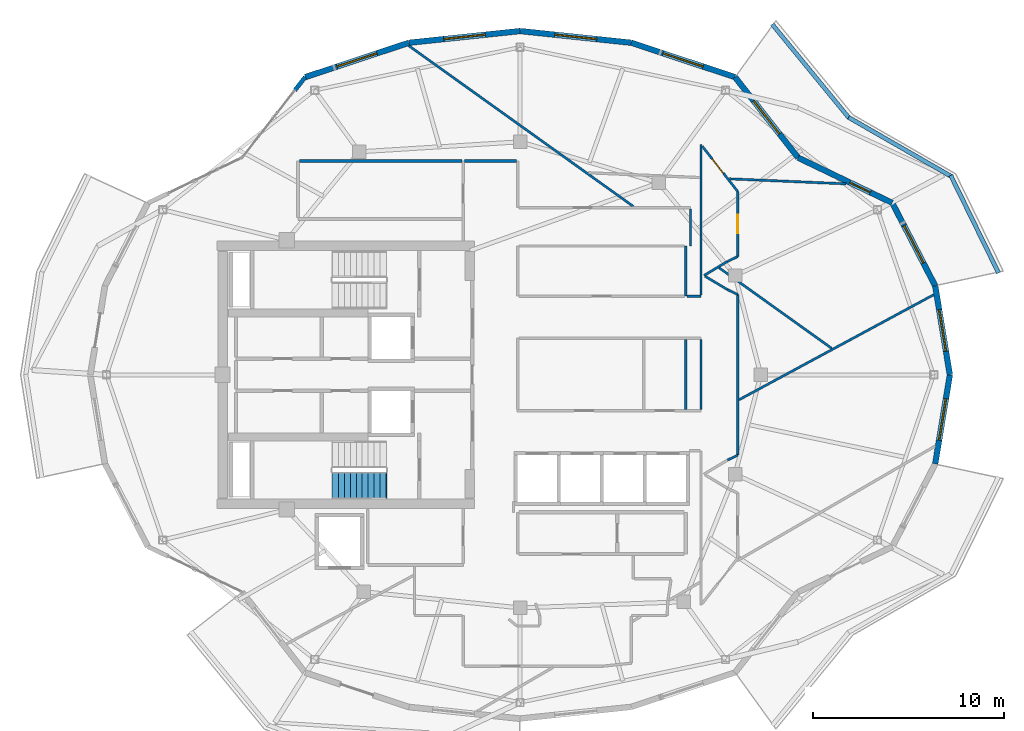
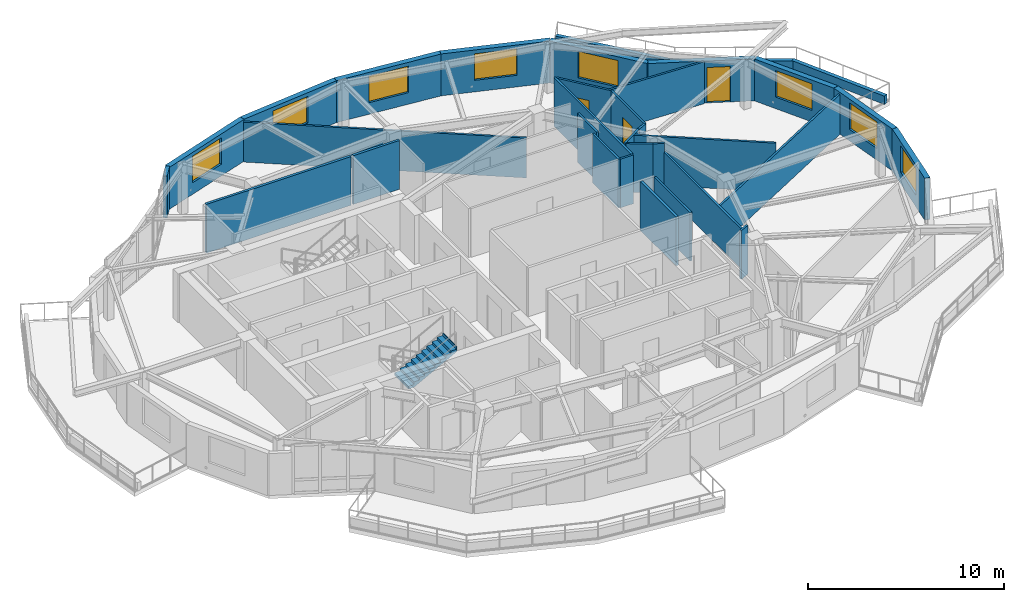
# One storey, part 10 of 14: 33 walls, 8 windows, 3 doors, 1 stair flight, 11 openings, 1 element without a shape of its own.
"""IFC4 building model written with IfcOpenShell, lengths in metres."""

from ifc_helpers import new_model, si_unit, direction, frame, frame_2d, origin, place, context, subcontext, project, spatial, polyline, rectangle, outline, extrude, material, layer, layer_set, type_object, element, fill, aggregate, save


model = new_model("IFC4")

# Units and contexts
model_context = context("Model", 3, precision=1e-05, world=origin(), true_north=direction((0.0, 1.0)))
body_context = subcontext(model_context, "Body", "Model", "MODEL_VIEW")
ifc_project = project(units=[si_unit("LENGTHUNIT", "METRE"), si_unit("AREAUNIT", "SQUARE_METRE"), si_unit("VOLUMEUNIT", "CUBIC_METRE"), si_unit("PLANEANGLEUNIT", "RADIAN"), si_unit("MASSUNIT", "GRAM", prefix="KILO")], contexts=[model_context])

# Site, building, storey
site_placement = place(None, origin())
site = spatial("IfcSite", under=ifc_project, at=site_placement, CompositionType="ELEMENT")
building_placement = place(site_placement, origin())
building = spatial("IfcBuilding", under=site, at=building_placement, Name="Kolvaren Gate Tower and Convention Centre", CompositionType="ELEMENT")
storey_placement = place(building_placement, frame((0.0, 0.0, 252.5)))
storey = spatial("IfcBuildingStorey", under=building, at=storey_placement, Name="L68", CompositionType="ELEMENT", Elevation=252.5)

# Walls
ifc_material_1 = material(Name="Fire-Rated Acoustic Gypsum Stud Partition", Category="gypsum")
ifc_layer_1 = layer(ifc_material_1, 0.1201171875)
ifc_layer_set_1 = layer_set([ifc_layer_1], Name="Fire-Rated Acoustic Gypsum Stud Partition")
wall_type_1 = type_object("IfcWallType", Name="ARCH-WL-PART-120", PredefinedType="PARTITIONING", material=ifc_layer_set_1)
wall_1_placement = place(storey_placement, frame((38.800048828125, 31.1201171875, 0.0), z_axis=(0.0, 0.0, 1.0), x_axis=(0.0, 1.0, 0.0)))
element("IfcWall", 1, at=wall_1_placement, inside=storey, type_object=wall_type_1, Name="Interior Partition WL-L68-INT-023", PredefinedType="PARTITIONING", context=body_context, shape_type="SweptSolid", body=[
    extrude(rectangle(XDim=2.6298828125, YDim=0.1201171875, at=frame_2d((1.31494140625, 0.0))), origin(), (0.0, 0.0, 1.0), 3.030029296875),
])
wall_2_placement = place(storey_placement, frame((38.862060546875, 31.1201171875, 0.0), z_axis=(0.0, 0.0, 1.0), x_axis=(1.0, 0.0, 0.0)))
element("IfcWall", 2, at=wall_2_placement, inside=storey, type_object=wall_type_1, Name="Interior Partition WL-L68-INT-024 (2)", PredefinedType="PARTITIONING", context=body_context, shape_type="SweptSolid", body=[
    extrude(rectangle(XDim=0.738037109375, YDim=0.1201171875, at=frame_2d((0.369140625, 0.0))), origin(), (0.0, 0.0, 1.0), 3.030029296875),
])
wall_3_placement = place(storey_placement, frame((39.050048828125, 33.75, 0.0), z_axis=(0.0, 0.0, 1.0), x_axis=(0.0, 1.0, 0.0)))
element("IfcWall", 3, at=wall_3_placement, inside=storey, type_object=wall_type_1, Name="Interior Partition WL-L68-INT-033", PredefinedType="PARTITIONING", context=body_context, shape_type="SweptSolid", body=[
    extrude(rectangle(XDim=1.93798828125, YDim=0.1201171875, at=frame_2d((0.968994140625, 0.0))), origin(), (0.0, 0.0, 1.0), 3.030029296875),
])
wall_4_placement = place(storey_placement, frame((39.60009765625, 25.197021484375, 0.0), z_axis=(0.0, 0.0, 1.0), x_axis=(0.0, 1.0, 0.0)))
element("IfcWall", 4, at=wall_4_placement, inside=storey, type_object=wall_type_1, Name="Interior Partition WL-L68-INT-035", PredefinedType="PARTITIONING", context=body_context, shape_type="SweptSolid", body=[
    extrude(rectangle(XDim=3.64599609375, YDim=0.1201171875, at=frame_2d((1.822998046875, 0.0))), origin(), (0.0, 0.0, 1.0), 3.030029296875),
])
wall_5_placement = place(storey_placement, frame((39.60009765625, 31.181884765625, 0.0), z_axis=(0.0, 0.0, 1.0), x_axis=(0.0, 1.0, 0.0)))
element("IfcWall", 5, at=wall_5_placement, inside=storey, type_object=wall_type_1, Name="Interior Partition WL-L68-INT-036", PredefinedType="PARTITIONING", context=body_context, shape_type="SweptSolid", body=[
    extrude(rectangle(XDim=7.8662109375, YDim=0.1201171875, at=frame_2d((3.93310546875, 0.0))), origin(), (0.0, 0.0, 1.0), 3.030029296875),
])

# Wall, opening, door
wall_6_placement = place(storey_placement, frame((39.662109375, 38.96875, 0.0), z_axis=(0.0, 0.0, 1.0), x_axis=(0.616500468458, -0.787354540465, 0.0)))
wall_6 = element("IfcWall", 6, at=wall_6_placement, inside=storey, type_object=wall_type_1, Name="Interior Partition WL-L68-INT-037", PredefinedType="PARTITIONING", context=body_context, shape_type="SweptSolid", body=[
    extrude(rectangle(XDim=3.013671875, YDim=0.1201171875, at=frame_2d((1.5068359375, 0.0))), origin(), (0.0, 0.0, 1.0), 3.030029296875),
])
opening_1_placement = place(wall_6_placement, frame((0.84912109375, 0.0, 0.0)))
opening_1 = element("IfcOpeningElement", 7, at=opening_1_placement, cuts=wall_6, Name="Opening DR-01", PredefinedType="OPENING", context=body_context, shape_type="SweptSolid", body=[
    extrude(rectangle(XDim=0.949951171875, YDim=2.10009765625, at=frame_2d((0.47509765625, 1.050048828125))), frame((0.0, 0.070068359375, 0.0), z_axis=(0.0, -1.0, 0.0), x_axis=(1.0, 0.0, 0.0)), (0.0, 0.0, 1.0), 0.14013671875),
])
ifc_material_2 = material(Name="Painted Architectural Steelwork ASTM A500 Grade C 345 MPa", Category="steel")
door_type_1 = type_object("IfcDoorType", Name="ARCH-DR-RISER-950", OperationType="SINGLE_SWING_RIGHT", PredefinedType="DOOR", material=ifc_material_2)
door_1_placement = place(opening_1_placement, origin())
door_1 = element("IfcDoor", 8, at=door_1_placement, inside=storey, type_object=door_type_1, Name="Resident Private Study Door", OperationType="SINGLE_SWING_RIGHT", OverallHeight=2.10009765625, OverallWidth=0.949951171875, PredefinedType="DOOR", context=body_context, shape_type="SweptSolid", body=[
    extrude(rectangle(XDim=0.949951171875, YDim=2.10009765625, at=frame_2d((0.47509765625, 1.050048828125))), frame((0.0, 0.02490234375, 0.0), z_axis=(0.0, -1.0, 0.0), x_axis=(1.0, 0.0, 0.0)), (0.0, 0.0, 1.0), 0.050048828125),
])
fill(opening_1, door_1)

# Wall
wall_7_placement = place(storey_placement, frame((41.52001953125, 22.7939453125, 0.0), z_axis=(0.0, 0.0, 1.0), x_axis=(0.0, 1.0, 0.0)))
element("IfcWall", 9, at=wall_7_placement, inside=storey, type_object=wall_type_1, Name="Interior Partition WL-L68-INT-039", PredefinedType="PARTITIONING", context=body_context, shape_type="SweptSolid", body=[
    extrude(rectangle(XDim=8.412109375, YDim=0.1201171875, at=frame_2d((4.2060546875, 0.0))), origin(), (0.0, 0.0, 1.0), 2.47802734375),
])

# Wall, opening, door
wall_8_placement = place(storey_placement, frame((41.52001953125, 33.193115234375, 0.0), z_axis=(0.0, 0.0, 1.0), x_axis=(0.0, 1.0, 0.0)))
wall_8 = element("IfcWall", 10, at=wall_8_placement, inside=storey, type_object=wall_type_1, Name="Interior Partition WL-L68-INT-040", PredefinedType="PARTITIONING", context=body_context, shape_type="SweptSolid", body=[
    extrude(rectangle(XDim=3.40283203125, YDim=0.1201171875, at=frame_2d((1.701416015625, 0.0))), origin(), (0.0, 0.0, 1.0), 3.030029296875),
])
opening_2_placement = place(wall_8_placement, frame((1.2265625, 0.0, 0.0)))
opening_2 = element("IfcOpeningElement", 11, at=opening_2_placement, cuts=wall_8, Name="Opening DR-01", PredefinedType="OPENING", context=body_context, shape_type="SweptSolid", body=[
    extrude(rectangle(XDim=0.949951171875, YDim=2.10009765625, at=frame_2d((0.47509765625, 1.050048828125))), frame((0.0, 0.070068359375, 0.0), z_axis=(0.0, -1.0, 0.0), x_axis=(1.0, 0.0, 0.0)), (0.0, 0.0, 1.0), 0.14013671875),
])
door_2_placement = place(opening_2_placement, origin())
door_2 = element("IfcDoor", 12, at=door_2_placement, inside=storey, type_object=door_type_1, Name="Penthouse Strategy Boardroom Door", OperationType="SINGLE_SWING_LEFT", OverallHeight=2.10009765625, OverallWidth=0.949951171875, PredefinedType="DOOR", context=body_context, shape_type="SweptSolid", body=[
    extrude(rectangle(XDim=0.949951171875, YDim=2.10009765625, at=frame_2d((0.47509765625, 1.050048828125))), frame((0.0, 0.02490234375, 0.0), z_axis=(0.0, -1.0, 0.0), x_axis=(1.0, 0.0, 0.0)), (0.0, 0.0, 1.0), 0.050048828125),
])
fill(opening_2, door_2)

# Walls
wall_9_placement = place(storey_placement, frame((40.986083984375, 32.93994140625, 0.0), z_axis=(0.0, 0.0, 1.0), x_axis=(0.90356951601, 0.428441512621, 0.0)))
element("IfcWall", 13, at=wall_9_placement, inside=storey, type_object=wall_type_1, Name="Interior Partition WL-L68-INT-041", PredefinedType="PARTITIONING", context=body_context, shape_type="SweptSolid", body=[
    extrude(rectangle(XDim=0.5908203125, YDim=0.1201171875, at=frame_2d((0.29541015625, 0.0))), origin(), (0.0, 0.0, 1.0), 3.030029296875),
])
wall_10_placement = place(storey_placement, frame((39.75, 32.198974609375, 0.0), z_axis=(0.0, 0.0, 1.0), x_axis=(0.857702120906, 0.514146935996, 0.0)))
element("IfcWall", 14, at=wall_10_placement, inside=storey, type_object=wall_type_1, Name="Interior Partition WL-L68-INT-042", PredefinedType="PARTITIONING", context=body_context, shape_type="SweptSolid", body=[
    extrude(rectangle(XDim=1.441162109375, YDim=0.1201171875, at=frame_2d((0.720703125, 0.0))), origin(), (0.0, 0.0, 1.0), 3.030029296875),
])
wall_11_placement = place(storey_placement, frame((39.810302734375, 32.162841796875, 0.0), z_axis=(0.0, 0.0, 1.0), x_axis=(0.858011245414, -0.513630901273, 0.0)))
element("IfcWall", 15, at=wall_11_placement, inside=storey, type_object=wall_type_1, Name="Interior Partition WL-L68-INT-043", PredefinedType="PARTITIONING", context=body_context, shape_type="SweptSolid", body=[
    extrude(rectangle(XDim=1.370361328125, YDim=0.1201171875, at=frame_2d((0.68505859375, 0.0))), origin(), (0.0, 0.0, 1.0), 3.030029296875),
])
for number, where, z_axis, x_axis, name in (
    (16, (40.986083984375, 31.458984375, 0.0), (0.0, 0.0, 1.0), (0.903729424576, -0.428104107847, 0.0), "Interior Partition WL-L68-INT-044"),
    (17, (40.986083984375, 22.541015625, 0.0), (0.0, 0.0, 1.0), (0.903729424576, 0.428104107847, 0.0), "Interior Partition WL-L68-INT-045"),
):
    element("IfcWall", number, at=place(storey_placement, frame(where, z_axis=z_axis, x_axis=x_axis)), inside=storey, type_object=wall_type_1, Name=name, PredefinedType="PARTITIONING", context=body_context, shape_type="SweptSolid", body=[
        extrude(rectangle(XDim=0.5908203125, YDim=0.1201171875, at=frame_2d((0.29541015625, 0.0))), origin(), (0.0, 0.0, 1.0), 3.030029296875),
    ])
wall_12_placement = place(storey_placement, frame((41.58203125, 25.692626953125, 0.0), z_axis=(0.0, 0.0, 1.0), x_axis=(0.880032375067, 0.474913696195, 0.0)))
element("IfcWall", 18, at=wall_12_placement, inside=storey, type_object=wall_type_1, Name="Interior Partition WL-L68-INT-067", PredefinedType="PARTITIONING", context=body_context, shape_type="SweptSolid", body=[
    extrude(rectangle(XDim=11.5888671875, YDim=0.1201171875, at=frame_2d((5.79443359375, 0.0))), origin(), (0.0, 0.0, 1.0), 2.47802734375),
])
wall_13_placement = place(storey_placement, frame((24.302001953125, 44.226806640625, 0.0), z_axis=(0.0, 0.0, 1.0), x_axis=(0.813249507018, -0.581915147883, 0.0)))
element("IfcWall", 19, at=wall_13_placement, inside=storey, type_object=wall_type_1, Name="Interior Partition WL-L68-INT-072", PredefinedType="PARTITIONING", context=body_context, shape_type="SweptSolid", body=[
    extrude(rectangle(XDim=14.46044921875, YDim=0.1201171875, at=frame_2d((7.230224609375, 0.0))), origin(), (0.0, 0.0, 1.0), 2.47802734375),
])
wall_14_placement = place(storey_placement, frame((40.5458984375, 32.603759765625, 0.0), z_axis=(0.0, 0.0, 1.0), x_axis=(0.813264440548, -0.581894277116, 0.0)))
element("IfcWall", 20, at=wall_14_placement, inside=storey, type_object=wall_type_1, Name="Interior Partition WL-L68-INT-073", PredefinedType="PARTITIONING", context=body_context, shape_type="SweptSolid", body=[
    extrude(rectangle(XDim=7.249267578125, YDim=0.1201171875, at=frame_2d((3.62451171875, 0.0))), origin(), (0.0, 0.0, 1.0), 3.030029296875),
])
wall_15_placement = place(storey_placement, frame((41.076904296875, 37.262451171875, 0.0), z_axis=(0.0, 0.0, 1.0), x_axis=(0.999080744008, -0.042868017834, 0.0)))
element("IfcWall", 21, at=wall_15_placement, inside=storey, type_object=wall_type_1, Name="Interior Partition WL-L68-INT-075", PredefinedType="PARTITIONING", context=body_context, shape_type="SweptSolid", body=[
    extrude(rectangle(XDim=6.105224609375, YDim=0.1201171875, at=frame_2d((3.052734375, 0.0))), origin(), (0.0, 0.0, 1.0), 2.60498046875),
])
ifc_material_3 = material(Name="Bogota Sabana Bush-Hammered Sandstone Cladding", Category="masonry")
ifc_layer_2 = layer(ifc_material_3, 0.219970703125)
ifc_layer_set_2 = layer_set([ifc_layer_2], Name="Bogota Sabana Bush-Hammered Sandstone Cladding")
wall_type_2 = type_object("IfcWallType", Name="ARCH-WL-PIER-220", PredefinedType="SOLIDWALL", material=ifc_layer_set_2)
wall_16_placement = place(storey_placement, frame((18.3349609375, 41.898681640625, 0.0), z_axis=(0.0, 0.0, 1.0), x_axis=(0.61650363284, 0.787352062736, 0.0)))
element("IfcWall", 22, at=wall_16_placement, inside=storey, type_object=wall_type_2, Name="Tower L68 Unitised Curtain Wall CW-RES-UNIT Bay 08 Right Column Pier Wrap", PredefinedType="SOLIDWALL", context=body_context, shape_type="SweptSolid", body=[
    extrude(rectangle(XDim=0.8759765625, YDim=0.219970703125, at=frame_2d((0.43798828125, 0.0))), origin(), (0.0, 0.0, 1.0), 2.60498046875),
])
ifc_material_4 = material(Name="Piedmont Cream Honed Limestone Cladding", Category="masonry")
ifc_layer_3 = layer(ifc_material_4, 0.219970703125)
ifc_layer_set_3 = layer_set([ifc_layer_3], Name="Piedmont Cream Honed Limestone Cladding")
wall_type_3 = type_object("IfcWallType", Name="ARCH-WL-PLANTER-220", PredefinedType="PARAPET", material=ifc_layer_set_3)
wall_17_placement = place(storey_placement, frame((52.66748046875, 37.446533203125, 0.0), z_axis=(0.0, 0.0, 1.0), x_axis=(0.440058847499, -0.897968936399, 0.0)))
element("IfcWall", 23, at=wall_17_placement, inside=storey, type_object=wall_type_3, Name="Vertical-Forest Balcony Stone Planter Kerb PK-L68-1.1", PredefinedType="PARAPET", context=body_context, shape_type="SweptSolid", body=[
    extrude(rectangle(XDim=5.689453125, YDim=0.219970703125, at=frame_2d((2.8447265625, 0.0))), origin(), (0.0, 0.0, 1.0), 0.52001953125),
])
wall_18_placement = place(storey_placement, frame((47.3212890625, 40.4794921875, 0.0), z_axis=(0.0, 0.0, 1.0), x_axis=(0.866901621005, -0.49847926687, 0.0)))
element("IfcWall", 24, at=wall_18_placement, inside=storey, type_object=wall_type_3, Name="Vertical-Forest Balcony Stone Planter Kerb PK-L68-1.2", PredefinedType="PARAPET", context=body_context, shape_type="SweptSolid", body=[
    extrude(rectangle(XDim=6.196533203125, YDim=0.219970703125, at=frame_2d((3.09814453125, 0.0))), origin(), (0.0, 0.0, 1.0), 0.52001953125),
])
wall_19_placement = place(storey_placement, frame((43.322998046875, 45.35400390625, 0.0), z_axis=(0.0, 0.0, 1.0), x_axis=(0.63407318032, -0.77327304492, 0.0)))
element("IfcWall", 25, at=wall_19_placement, inside=storey, type_object=wall_type_3, Name="Vertical-Forest Balcony Stone Planter Kerb PK-L68-1.3", PredefinedType="PARAPET", context=body_context, shape_type="SweptSolid", body=[
    extrude(rectangle(XDim=6.37890625, YDim=0.219970703125, at=frame_2d((3.189453125, 0.0))), origin(), (0.0, 0.0, 1.0), 0.52001953125),
])

# Wall, opening, window
ifc_layer_4 = layer(ifc_material_4, 0.300048828125)
ifc_layer_set_4 = layer_set([ifc_layer_4], Name="Piedmont Cream Honed Limestone Cladding")
wall_type_4 = type_object("IfcWallType", Name="ARCH-WL-STONE-300", PredefinedType="SOLIDWALL", material=ifc_layer_set_4)
wall_20_placement = place(storey_placement, frame((51.8583984375, 31.65869140625, 0.0), z_axis=(0.0, 0.0, 1.0), x_axis=(0.162369371657, -0.986730047758, 0.0)))
wall_20 = element("IfcWall", 26, at=wall_20_placement, inside=storey, type_object=wall_type_4, Name="Tower L68 Honed Stone Spandrel Wall EW-00", PredefinedType="SOLIDWALL", context=body_context, shape_type="SweptSolid", body=[
    extrude(rectangle(XDim=4.721435546875, YDim=0.300048828125, at=frame_2d((2.36083984375, 0.0))), origin(), (0.0, 0.0, 1.0), 2.60498046875),
])
opening_3_placement = place(wall_20_placement, frame((1.260986328125, 0.0, 0.719970703125)))
opening_3 = element("IfcOpeningElement", 27, at=opening_3_placement, cuts=wall_20, Name="Opening W-03", PredefinedType="OPENING", context=body_context, shape_type="SweptSolid", body=[
    extrude(rectangle(XDim=2.199951171875, YDim=1.64990234375, at=frame_2d((1.10009765625, 0.824951171875))), frame((0.0, 0.159912109375, 0.0), z_axis=(0.0, -1.0, 0.0), x_axis=(1.0, 0.0, 0.0)), (0.0, 0.0, 1.0), 0.320068359375),
])
ifc_material_5 = material(Name="Low-E Triple Insulated Glazing Unit 44 mm", Category="glass")
window_type = type_object("IfcWindowType", Name="ARCH-WN-RES-2200", PartitioningType="SINGLE_PANEL", PredefinedType="WINDOW", material=ifc_material_5)
window_1_placement = place(opening_3_placement, origin())
window_1 = element("IfcWindow", 28, at=window_1_placement, inside=storey, type_object=window_type, Name="Tower L68 Punched Stone Facade Window W-00", OverallHeight=1.64990234375, OverallWidth=2.199951171875, PartitioningType="SINGLE_PANEL", PredefinedType="WINDOW", context=body_context, shape_type="SweptSolid", body=[
    extrude(rectangle(XDim=2.199951171875, YDim=1.64990234375, at=frame_2d((1.10009765625, 0.824951171875))), frame((0.0, 0.030029296875, 0.0), z_axis=(0.0, -1.0, 0.0), x_axis=(1.0, 0.0, 0.0)), (0.0, 0.0, 1.0), 0.06005859375),
])
fill(opening_3, window_1)

wall_21_placement = place(storey_placement, frame((49.610595703125, 36.0, 0.0), z_axis=(0.0, 0.0, 1.0), x_axis=(0.459793771602, -0.888025724625, 0.0)))
wall_21 = element("IfcWall", 29, at=wall_21_placement, inside=storey, type_object=wall_type_4, Name="Tower L68 Honed Stone Spandrel Wall EW-01", PredefinedType="SOLIDWALL", context=body_context, shape_type="SweptSolid", body=[
    extrude(rectangle(XDim=4.888671875, YDim=0.300048828125, at=frame_2d((2.4443359375, 0.0))), origin(), (0.0, 0.0, 1.0), 2.60498046875),
])
opening_4_placement = place(wall_21_placement, frame((1.343994140625, 0.0, 0.719970703125)))
opening_4 = element("IfcOpeningElement", 30, at=opening_4_placement, cuts=wall_21, Name="Opening W-03", PredefinedType="OPENING", context=body_context, shape_type="SweptSolid", body=[
    extrude(rectangle(XDim=2.199951171875, YDim=1.64990234375, at=frame_2d((1.10009765625, 0.824951171875))), frame((0.0, 0.159912109375, 0.0), z_axis=(0.0, -1.0, 0.0), x_axis=(1.0, 0.0, 0.0)), (0.0, 0.0, 1.0), 0.320068359375),
])
window_2_placement = place(opening_4_placement, origin())
window_2 = element("IfcWindow", 31, at=window_2_placement, inside=storey, type_object=window_type, Name="Tower L68 Punched Stone Facade Window W-01", OverallHeight=1.64990234375, OverallWidth=2.199951171875, PartitioningType="SINGLE_PANEL", PredefinedType="WINDOW", context=body_context, shape_type="SweptSolid", body=[
    extrude(rectangle(XDim=2.199951171875, YDim=1.64990234375, at=frame_2d((1.10009765625, 0.824951171875))), frame((0.0, 0.030029296875, 0.0), z_axis=(0.0, -1.0, 0.0), x_axis=(1.0, 0.0, 0.0)), (0.0, 0.0, 1.0), 0.06005859375),
])
fill(opening_4, window_2)

# Wall, opening, door
wall_22_placement = place(storey_placement, frame((44.67724609375, 38.370361328125, 0.0), z_axis=(0.0, 0.0, 1.0), x_axis=(0.901355238351, -0.433080517106, 0.0)))
wall_22 = element("IfcWall", 32, at=wall_22_placement, inside=storey, type_object=wall_type_4, Name="Tower L68 Honed Stone Spandrel Wall EW-02", PredefinedType="SOLIDWALL", context=body_context, shape_type="SweptSolid", body=[
    extrude(rectangle(XDim=5.47314453125, YDim=0.300048828125, at=frame_2d((2.736572265625, 0.0))), origin(), (0.0, 0.0, 1.0), 2.60498046875),
])
opening_5_placement = place(wall_22_placement, frame((3.0, 0.0, 0.0)))
opening_5 = element("IfcOpeningElement", 33, at=opening_5_placement, cuts=wall_22, Name="Opening DB-02", PredefinedType="OPENING", context=body_context, shape_type="SweptSolid", body=[
    extrude(rectangle(XDim=1.199951171875, YDim=2.199951171875, at=frame_2d((0.60009765625, 1.10009765625))), frame((0.0, 0.159912109375, 0.0), z_axis=(0.0, -1.0, 0.0), x_axis=(1.0, 0.0, 0.0)), (0.0, 0.0, 1.0), 0.320068359375),
])
ifc_material_6 = material(Name="Anodized Architectural Aluminium Alloy 6063-T6", Category="aluminium")
door_type_2 = type_object("IfcDoorType", Name="ARCH-DR-BALC-1200", OperationType="NOTDEFINED", PredefinedType="DOOR", material=ifc_material_6)
door_3_placement = place(opening_5_placement, origin())
door_3 = element("IfcDoor", 34, at=door_3_placement, inside=storey, type_object=door_type_2, Name="Planted Sky Terrace Access Door DB-L68-02", OperationType="SINGLE_SWING_LEFT", OverallHeight=2.199951171875, OverallWidth=1.199951171875, PredefinedType="DOOR", context=body_context, shape_type="SweptSolid", body=[
    extrude(rectangle(XDim=1.199951171875, YDim=2.199951171875, at=frame_2d((0.60009765625, 1.10009765625))), frame((0.0, 0.02490234375, 0.0), z_axis=(0.0, -1.0, 0.0), x_axis=(1.0, 0.0, 0.0)), (0.0, 0.0, 1.0), 0.050048828125),
])
fill(opening_5, door_3)

# Wall, opening, window
wall_23_placement = place(storey_placement, frame((41.375, 42.58837890625, 0.0), z_axis=(0.0, 0.0, 1.0), x_axis=(0.61644588519, -0.787397276241, 0.0)))
wall_23 = element("IfcWall", 35, at=wall_23_placement, inside=storey, type_object=wall_type_4, Name="Tower L68 Honed Stone Spandrel Wall EW-03", PredefinedType="SOLIDWALL", context=body_context, shape_type="SweptSolid", body=[
    extrude(rectangle(XDim=5.35693359375, YDim=0.300048828125, at=frame_2d((2.678466796875, 0.0))), origin(), (0.0, 0.0, 1.0), 2.60498046875),
])
opening_6_placement = place(wall_23_placement, frame((1.5791015625, 0.0, 0.719970703125)))
opening_6 = element("IfcOpeningElement", 36, at=opening_6_placement, cuts=wall_23, Name="Opening W-03", PredefinedType="OPENING", context=body_context, shape_type="SweptSolid", body=[
    extrude(rectangle(XDim=2.199951171875, YDim=1.64990234375, at=frame_2d((1.10009765625, 0.824951171875))), frame((0.0, 0.159912109375, 0.0), z_axis=(0.0, -1.0, 0.0), x_axis=(1.0, 0.0, 0.0)), (0.0, 0.0, 1.0), 0.320068359375),
])
window_3_placement = place(opening_6_placement, origin())
window_3 = element("IfcWindow", 37, at=window_3_placement, inside=storey, type_object=window_type, Name="Tower L68 Punched Stone Facade Window W-03", OverallHeight=1.64990234375, OverallWidth=2.199951171875, PartitioningType="SINGLE_PANEL", PredefinedType="WINDOW", context=body_context, shape_type="SweptSolid", body=[
    extrude(rectangle(XDim=2.199951171875, YDim=1.64990234375, at=frame_2d((1.10009765625, 0.824951171875))), frame((0.0, 0.030029296875, 0.0), z_axis=(0.0, -1.0, 0.0), x_axis=(1.0, 0.0, 0.0)), (0.0, 0.0, 1.0), 0.06005859375),
])
fill(opening_6, window_3)

wall_24_placement = place(storey_placement, frame((35.948486328125, 44.38671875, 0.0), z_axis=(0.0, 0.0, 1.0), x_axis=(0.949232769585, -0.314574552605, 0.0)))
wall_24 = element("IfcWall", 38, at=wall_24_placement, inside=storey, type_object=wall_type_4, Name="Tower L68 Honed Stone Spandrel Wall EW-04", PredefinedType="SOLIDWALL", context=body_context, shape_type="SweptSolid", body=[
    extrude(rectangle(XDim=5.716796875, YDim=0.300048828125, at=frame_2d((2.8583984375, 0.0))), origin(), (0.0, 0.0, 1.0), 2.60498046875),
])
opening_7_placement = place(wall_24_placement, frame((1.758056640625, 0.0, 0.719970703125)))
opening_7 = element("IfcOpeningElement", 39, at=opening_7_placement, cuts=wall_24, Name="Opening W-03", PredefinedType="OPENING", context=body_context, shape_type="SweptSolid", body=[
    extrude(rectangle(XDim=2.199951171875, YDim=1.64990234375, at=frame_2d((1.10009765625, 0.824951171875))), frame((0.0, 0.159912109375, 0.0), z_axis=(0.0, -1.0, 0.0), x_axis=(1.0, 0.0, 0.0)), (0.0, 0.0, 1.0), 0.320068359375),
])
window_4_placement = place(opening_7_placement, origin())
window_4 = element("IfcWindow", 40, at=window_4_placement, inside=storey, type_object=window_type, Name="Tower L68 Punched Stone Facade Window W-04", OverallHeight=1.64990234375, OverallWidth=2.199951171875, PartitioningType="SINGLE_PANEL", PredefinedType="WINDOW", context=body_context, shape_type="SweptSolid", body=[
    extrude(rectangle(XDim=2.199951171875, YDim=1.64990234375, at=frame_2d((1.10009765625, 0.824951171875))), frame((0.0, 0.030029296875, 0.0), z_axis=(0.0, -1.0, 0.0), x_axis=(1.0, 0.0, 0.0)), (0.0, 0.0, 1.0), 0.06005859375),
])
fill(opening_7, window_4)

wall_25_placement = place(storey_placement, frame((30.125, 45.0, 0.0), z_axis=(0.0, 0.0, 1.0), x_axis=(0.994500425783, -0.10473253132, 0.0)))
wall_25 = element("IfcWall", 41, at=wall_25_placement, inside=storey, type_object=wall_type_4, Name="Tower L68 Honed Stone Spandrel Wall EW-05", PredefinedType="SOLIDWALL", context=body_context, shape_type="SweptSolid", body=[
    extrude(rectangle(XDim=5.855712890625, YDim=0.300048828125, at=frame_2d((2.927734375, 0.0))), origin(), (0.0, 0.0, 1.0), 2.60498046875),
])
opening_8_placement = place(wall_25_placement, frame((1.827880859375, 0.0, 0.719970703125)))
opening_8 = element("IfcOpeningElement", 42, at=opening_8_placement, cuts=wall_25, Name="Opening W-03", PredefinedType="OPENING", context=body_context, shape_type="SweptSolid", body=[
    extrude(rectangle(XDim=2.199951171875, YDim=1.64990234375, at=frame_2d((1.10009765625, 0.824951171875))), frame((0.0, 0.159912109375, 0.0), z_axis=(0.0, -1.0, 0.0), x_axis=(1.0, 0.0, 0.0)), (0.0, 0.0, 1.0), 0.320068359375),
])
window_5_placement = place(opening_8_placement, origin())
window_5 = element("IfcWindow", 43, at=window_5_placement, inside=storey, type_object=window_type, Name="Tower L68 Punched Stone Facade Window W-05", OverallHeight=1.64990234375, OverallWidth=2.199951171875, PartitioningType="SINGLE_PANEL", PredefinedType="WINDOW", context=body_context, shape_type="SweptSolid", body=[
    extrude(rectangle(XDim=2.199951171875, YDim=1.64990234375, at=frame_2d((1.10009765625, 0.824951171875))), frame((0.0, 0.030029296875, 0.0), z_axis=(0.0, -1.0, 0.0), x_axis=(1.0, 0.0, 0.0)), (0.0, 0.0, 1.0), 0.06005859375),
])
fill(opening_8, window_5)

wall_26_placement = place(storey_placement, frame((24.301513671875, 44.38671875, 0.0), z_axis=(0.0, 0.0, 1.0), x_axis=(0.994500425783, 0.10473253132, 0.0)))
wall_26 = element("IfcWall", 44, at=wall_26_placement, inside=storey, type_object=wall_type_4, Name="Tower L68 Honed Stone Spandrel Wall EW-06", PredefinedType="SOLIDWALL", context=body_context, shape_type="SweptSolid", body=[
    extrude(rectangle(XDim=5.855712890625, YDim=0.300048828125, at=frame_2d((2.927734375, 0.0))), origin(), (0.0, 0.0, 1.0), 2.60498046875),
])
opening_9_placement = place(wall_26_placement, frame((1.827880859375, 0.0, 0.719970703125)))
opening_9 = element("IfcOpeningElement", 45, at=opening_9_placement, cuts=wall_26, Name="Opening W-03", PredefinedType="OPENING", context=body_context, shape_type="SweptSolid", body=[
    extrude(rectangle(XDim=2.199951171875, YDim=1.64990234375, at=frame_2d((1.10009765625, 0.824951171875))), frame((0.0, 0.159912109375, 0.0), z_axis=(0.0, -1.0, 0.0), x_axis=(1.0, 0.0, 0.0)), (0.0, 0.0, 1.0), 0.320068359375),
])
window_6_placement = place(opening_9_placement, origin())
window_6 = element("IfcWindow", 46, at=window_6_placement, inside=storey, type_object=window_type, Name="Tower L68 Punched Stone Facade Window W-06", OverallHeight=1.64990234375, OverallWidth=2.199951171875, PartitioningType="SINGLE_PANEL", PredefinedType="WINDOW", context=body_context, shape_type="SweptSolid", body=[
    extrude(rectangle(XDim=2.199951171875, YDim=1.64990234375, at=frame_2d((1.10009765625, 0.824951171875))), frame((0.0, 0.030029296875, 0.0), z_axis=(0.0, -1.0, 0.0), x_axis=(1.0, 0.0, 0.0)), (0.0, 0.0, 1.0), 0.06005859375),
])
fill(opening_9, window_6)

wall_27_placement = place(storey_placement, frame((18.875, 42.58837890625, 0.0), z_axis=(0.0, 0.0, 1.0), x_axis=(0.949232769585, 0.314574552605, 0.0)))
wall_27 = element("IfcWall", 47, at=wall_27_placement, inside=storey, type_object=wall_type_4, Name="Tower L68 Honed Stone Spandrel Wall EW-07", PredefinedType="SOLIDWALL", context=body_context, shape_type="SweptSolid", body=[
    extrude(rectangle(XDim=5.716796875, YDim=0.300048828125, at=frame_2d((2.8583984375, 0.0))), origin(), (0.0, 0.0, 1.0), 2.60498046875),
])
opening_10_placement = place(wall_27_placement, frame((1.758056640625, 0.0, 0.719970703125)))
opening_10 = element("IfcOpeningElement", 48, at=opening_10_placement, cuts=wall_27, Name="Opening W-03", PredefinedType="OPENING", context=body_context, shape_type="SweptSolid", body=[
    extrude(rectangle(XDim=2.199951171875, YDim=1.64990234375, at=frame_2d((1.10009765625, 0.824951171875))), frame((0.0, 0.159912109375, 0.0), z_axis=(0.0, -1.0, 0.0), x_axis=(1.0, 0.0, 0.0)), (0.0, 0.0, 1.0), 0.320068359375),
])
window_7_placement = place(opening_10_placement, origin())
window_7 = element("IfcWindow", 49, at=window_7_placement, inside=storey, type_object=window_type, Name="Tower L68 Punched Stone Facade Window W-07", OverallHeight=1.64990234375, OverallWidth=2.199951171875, PartitioningType="SINGLE_PANEL", PredefinedType="WINDOW", context=body_context, shape_type="SweptSolid", body=[
    extrude(rectangle(XDim=2.199951171875, YDim=1.64990234375, at=frame_2d((1.10009765625, 0.824951171875))), frame((0.0, 0.030029296875, 0.0), z_axis=(0.0, -1.0, 0.0), x_axis=(1.0, 0.0, 0.0)), (0.0, 0.0, 1.0), 0.06005859375),
])
fill(opening_10, window_7)

wall_28_placement = place(storey_placement, frame((51.8583984375, 22.34130859375, 0.0), z_axis=(0.0, 0.0, 1.0), x_axis=(0.162369371657, 0.986730047758, 0.0)))
wall_28 = element("IfcWall", 50, at=wall_28_placement, inside=storey, type_object=wall_type_4, Name="Tower L68 Honed Stone Spandrel Wall EW-23", PredefinedType="SOLIDWALL", context=body_context, shape_type="SweptSolid", body=[
    extrude(rectangle(XDim=4.721435546875, YDim=0.300048828125, at=frame_2d((2.36083984375, 0.0))), origin(), (0.0, 0.0, 1.0), 2.60498046875),
])
opening_11_placement = place(wall_28_placement, frame((1.260986328125, 0.0, 0.719970703125)))
opening_11 = element("IfcOpeningElement", 51, at=opening_11_placement, cuts=wall_28, Name="Opening W-03", PredefinedType="OPENING", context=body_context, shape_type="SweptSolid", body=[
    extrude(rectangle(XDim=2.199951171875, YDim=1.64990234375, at=frame_2d((1.10009765625, 0.824951171875))), frame((0.0, 0.159912109375, 0.0), z_axis=(0.0, -1.0, 0.0), x_axis=(1.0, 0.0, 0.0)), (0.0, 0.0, 1.0), 0.320068359375),
])
window_8_placement = place(opening_11_placement, origin())
window_8 = element("IfcWindow", 52, at=window_8_placement, inside=storey, type_object=window_type, Name="Tower L68 Punched Stone Facade Window W-23", OverallHeight=1.64990234375, OverallWidth=2.199951171875, PartitioningType="SINGLE_PANEL", PredefinedType="WINDOW", context=body_context, shape_type="SweptSolid", body=[
    extrude(rectangle(XDim=2.199951171875, YDim=1.64990234375, at=frame_2d((1.10009765625, 0.824951171875))), frame((0.0, 0.030029296875, 0.0), z_axis=(0.0, -1.0, 0.0), x_axis=(1.0, 0.0, 0.0)), (0.0, 0.0, 1.0), 0.06005859375),
])
fill(opening_11, window_8)

# Walls
ifc_material_7 = material(Name="Moisture-Resistant Cement-Board Acoustic Partition", Category="gypsum")
ifc_layer_5 = layer(ifc_material_7, 0.14990234375)
ifc_layer_set_5 = layer_set([ifc_layer_5], Name="Moisture-Resistant Cement-Board Acoustic Partition")
wall_type_5 = type_object("IfcWallType", Name="ARCH-WL-WET-150", PredefinedType="PARTITIONING", material=ifc_layer_set_5)
wall_29_placement = place(storey_placement, frame((38.800048828125, 25.197021484375, 0.0), z_axis=(0.0, 0.0, 1.0), x_axis=(0.0, 1.0, 0.0)))
element("IfcWall", 53, at=wall_29_placement, inside=storey, type_object=wall_type_5, Name="Interior Partition WL-L68-INT-022", PredefinedType="PARTITIONING", context=body_context, shape_type="SweptSolid", body=[
    extrude(rectangle(XDim=3.64599609375, YDim=0.14990234375, at=frame_2d((1.822998046875, 0.0))), origin(), (0.0, 0.0, 1.0), 3.030029296875),
])
wall_30_placement = place(storey_placement, frame((18.576904296875, 38.199951171875, 0.0), z_axis=(0.0, 0.0, 1.0), x_axis=(1.0, 0.0, 0.0)))
element("IfcWall", 54, at=wall_30_placement, inside=storey, type_object=wall_type_5, Name="Interior Partition WL-L68-INT-031", PredefinedType="PARTITIONING", context=body_context, shape_type="SweptSolid", body=[
    extrude(rectangle(XDim=8.49609375, YDim=0.14990234375, at=frame_2d((4.248046875, 0.0))), origin(), (0.0, 0.0, 1.0), 3.030029296875),
])
wall_31_placement = place(storey_placement, frame((27.22705078125, 38.199951171875, 0.0), z_axis=(0.0, 0.0, 1.0), x_axis=(1.0, 0.0, 0.0)))
element("IfcWall", 55, at=wall_31_placement, inside=storey, type_object=wall_type_5, Name="Interior Partition WL-L68-INT-031 (2)", PredefinedType="PARTITIONING", context=body_context, shape_type="SweptSolid", body=[
    extrude(rectangle(XDim=2.7109375, YDim=0.14990234375, at=frame_2d((1.35546875, 0.0))), origin(), (0.0, 0.0, 1.0), 3.030029296875),
])

# Stair, stair flight
ifc_material_8 = material(Name="Concrete C50/60", Category="concrete")
stair_type = type_object("IfcStairType", Name="STR-STAIR-CORE", PredefinedType="HALF_TURN_STAIR", material=ifc_material_8)
stair_placement = place(storey_placement, origin())
stair = element("IfcStair", 56, at=stair_placement, inside=storey, type_object=stair_type, Name="L68 Tower South Exit Stair ST-T2", PredefinedType="HALF_TURN_STAIR")
stair_flight_type = type_object("IfcStairFlightType", Name="STR-SFL-1420", PredefinedType="STRAIGHT", material=ifc_material_8)
stair_flight_placement = place(storey_placement, frame((20.31005859375, 21.2099609375, 1.64990234375), z_axis=(0.0, 0.0, 1.0), x_axis=(1.0, 0.0, 0.0)))
stair_flight = element("IfcStairFlight", 57, at=stair_flight_placement, type_object=stair_flight_type, Name="ST-T2 flight 2", NumberOfRisers=10, NumberOfTreads=9, PredefinedType="STRAIGHT", RiserHeight=0.165, TreadLength=0.31, context=body_context, shape_type="SweptSolid", body=[
    extrude(outline(polyline([(-0.034912109375, 0.0), (-0.034912109375, 0.1650390625), (0.31005859375, 0.1650390625), (0.31005859375, 0.330078125), (0.6201171875, 0.330078125), (0.6201171875, 0.4951171875), (0.929931640625, 0.4951171875), (0.929931640625, 0.659912109375), (1.239990234375, 0.659912109375), (1.239990234375, 0.824951171875), (1.550048828125, 0.824951171875), (1.550048828125, 0.989990234375), (1.860107421875, 0.989990234375), (1.860107421875, 1.155029296875), (2.169921875, 1.155029296875), (2.169921875, 1.320068359375), (2.47998046875, 1.320068359375), (2.47998046875, 1.485107421875), (2.7900390625, 1.485107421875), (2.7900390625, 1.64990234375), (2.8349609375, 1.64990234375), (2.8349609375, 1.489990234375), (2.7900390625, 1.315185546875), (0.319091796875, 0.0), (-0.034912109375, 0.0)])), frame((0.0, 0.7099609375, 0.0), z_axis=(0.0, -1.0, 0.0), x_axis=(1.0, 0.0, 0.0)), (0.0, 0.0, 1.0), 1.419921875),
])
aggregate(stair, [stair_flight])

save(model, "model.ifc")
